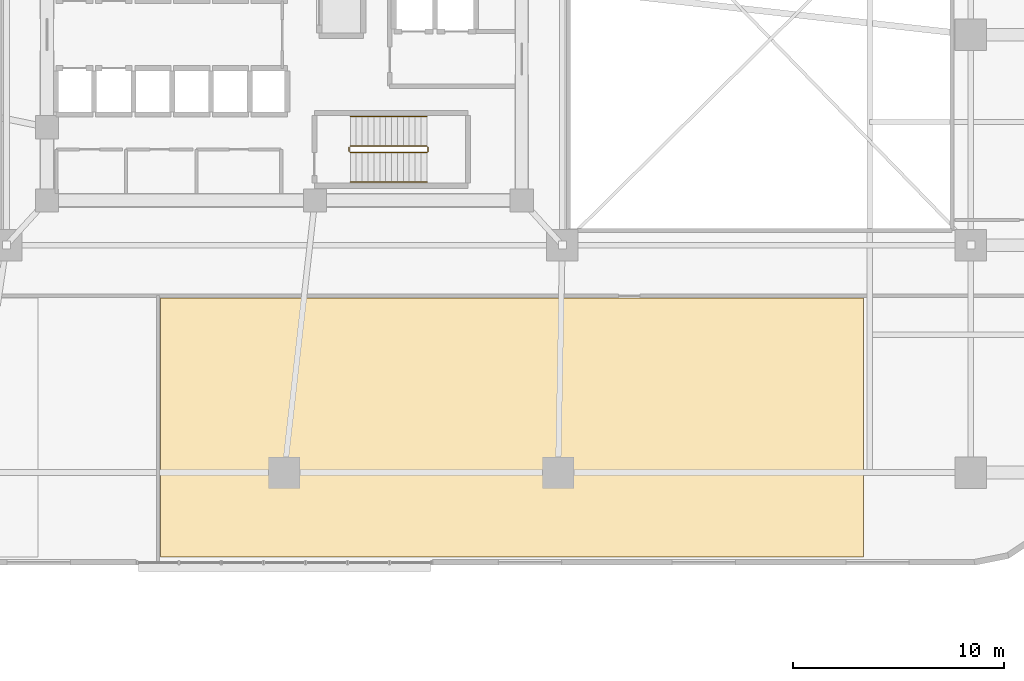
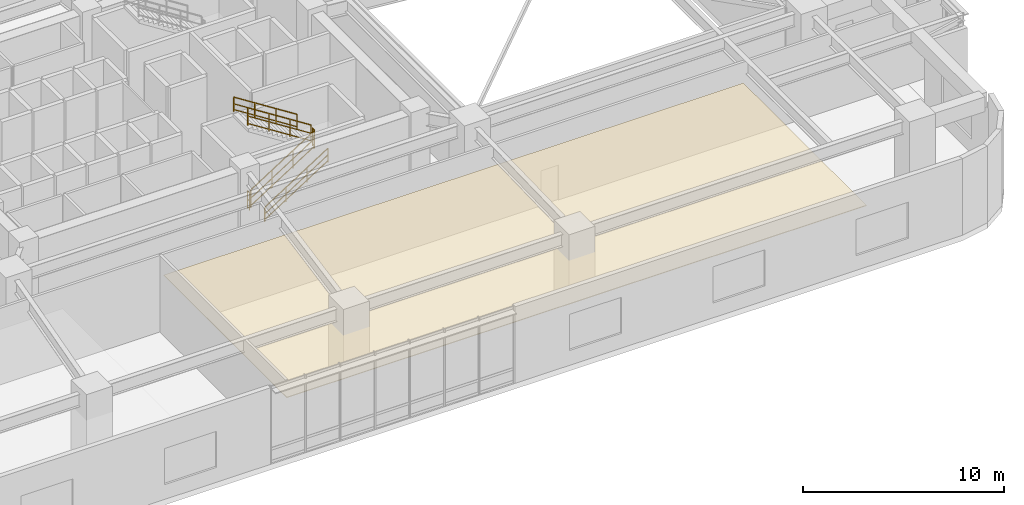
# One storey, part 21 of 24: 6 railings, 1 covering.
"""IFC4 building model written with IfcOpenShell, lengths in metres."""

from ifc_helpers import new_model, si_unit, direction, frame, origin, origin_2d, place, context, subcontext, project, spatial, polyline, rectangle, outline, extrude, material, layer, layer_set, type_object, element, save


model = new_model("IFC4")

# Units and contexts
model_context = context("Model", 3, precision=1e-05, world=origin(), true_north=direction((0.0, 1.0)))
body_context = subcontext(model_context, "Body", "Model", "MODEL_VIEW")
ifc_project = project(units=[si_unit("LENGTHUNIT", "METRE"), si_unit("AREAUNIT", "SQUARE_METRE"), si_unit("VOLUMEUNIT", "CUBIC_METRE"), si_unit("PLANEANGLEUNIT", "RADIAN"), si_unit("MASSUNIT", "GRAM", prefix="KILO")], contexts=[model_context])

# Site, building, storey
site_placement = place(None, origin())
site = spatial("IfcSite", under=ifc_project, at=site_placement, CompositionType="ELEMENT")
building_placement = place(site_placement, origin())
building = spatial("IfcBuilding", under=site, at=building_placement, Name="Zulverin Broadcast Headquarters", CompositionType="ELEMENT")
storey_placement = place(building_placement, frame((0.0, 0.0, 5.0)))
storey = spatial("IfcBuildingStorey", under=building, at=storey_placement, Name="L01", CompositionType="ELEMENT", Elevation=5.0)

# Covering
ifc_material_1 = material(Name="Perforated pale-metal acoustic baffle ceiling", Category="aluminium")
ifc_layer = layer(ifc_material_1, 0.0400390625, Name="Perforated pale-metal acoustic baffle ceiling", Category="aluminium")
ifc_layer_set = layer_set([ifc_layer], Name="Perforated pale-metal acoustic baffle ceiling")
covering_type = type_object("IfcCoveringType", Name="COV-CEIL-ACOU", PredefinedType="CEILING", material=ifc_layer_set)
covering_placement = place(storey_placement, frame((0.0, 0.0, 3.389892578125)))
element("IfcCovering", 1, at=covering_placement, inside=storey, type_object=covering_type, Name="L01 Acoustic Baffle Ceiling 02", PredefinedType="CEILING", context=body_context, shape_type="SweptSolid", body=[
    extrude(outline(polyline([(31.1201171875, 12.679931640625), (31.1201171875, 0.39990234375), (64.5, 0.39990234375), (64.5, 12.679931640625), (31.1201171875, 12.679931640625)])), origin(), (0.0, 0.0, 1.0), 0.0400390625),
])

# Railings
ifc_material_2 = material(Name="Painted galvanized steel tubular guardrail S355JR", Category="steel")
railing_type_1 = type_object("IfcRailingType", Name="RL-ST-GUARD", PredefinedType="GUARDRAIL", material=ifc_material_2)
railing_1_placement = place(storey_placement, frame((40.1298828125, 19.60009765625, 0.178466796875)))
element("IfcRailing", 2, at=railing_1_placement, inside=storey, type_object=railing_type_1, Name="L01 ST-2 stair guard 1", PredefinedType="GUARDRAIL", context=body_context, shape_type="SweptSolid", body=[
    extrude(rectangle(XDim=0.048095703125, YDim=0.048095703125, at=origin_2d()), frame((0.0, 0.0, 1.076171875), z_axis=(0.843127859045, 0.0, 0.537713132908), x_axis=(0.0, 1.0, 0.0)), (0.0, 0.0, 1.0), 4.3173828125),
    extrude(rectangle(XDim=0.0419921875, YDim=0.0419921875, at=origin_2d()), frame((0.0, 0.0, 0.572021484375), z_axis=(0.843127859045, 0.0, 0.537713132908), x_axis=(0.0, 1.0, 0.0)), (0.0, 0.0, 1.0), 4.3173828125),
    extrude(rectangle(XDim=0.0419921875, YDim=0.0419921875, at=origin_2d()), frame((0.0, 0.0, 0.1201171875), z_axis=(0.843127859045, 0.0, 0.537713132908), x_axis=(0.0, 1.0, 0.0)), (0.0, 0.0, 1.0), 4.3173828125),
    extrude(rectangle(XDim=0.0419921875, YDim=0.0419921875, at=origin_2d()), origin(), (0.0, 0.0, 1.0), 1.052001953125),
    extrude(rectangle(XDim=0.0419921875, YDim=0.0419921875, at=origin_2d()), frame((1.21337890625, 0.0, 0.77392578125)), (0.0, 0.0, 1.0), 1.052001953125),
    extrude(rectangle(XDim=0.0419921875, YDim=0.0419921875, at=origin_2d()), frame((2.4267578125, 0.0, 1.547607421875)), (0.0, 0.0, 1.0), 1.052001953125),
    extrude(rectangle(XDim=0.0419921875, YDim=0.0419921875, at=origin_2d()), frame((3.64013671875, 0.0, 2.321533203125)), (0.0, 0.0, 1.0), 1.052001953125),
])
railing_2_placement = place(storey_placement, frame((43.820068359375, 19.64990234375, 2.5)))
element("IfcRailing", 3, at=railing_2_placement, inside=storey, type_object=railing_type_1, Name="L01 ST-2 stair guard 2", PredefinedType="GUARDRAIL", context=body_context, shape_type="SweptSolid", body=[
    extrude(rectangle(XDim=0.048095703125, YDim=0.048095703125, at=origin_2d()), frame((0.0, 0.0, 1.076171875), z_axis=(0.0, 1.0, 0.0), x_axis=(-1.0, 0.0, 0.0)), (0.0, 0.0, 1.0), 0.2001953125),
    extrude(rectangle(XDim=0.0419921875, YDim=0.0419921875, at=origin_2d()), frame((0.0, 0.0, 0.572021484375), z_axis=(0.0, 1.0, 0.0), x_axis=(-1.0, 0.0, 0.0)), (0.0, 0.0, 1.0), 0.2001953125),
    extrude(rectangle(XDim=0.0419921875, YDim=0.0419921875, at=origin_2d()), frame((0.0, 0.0, 0.1201171875), z_axis=(0.0, 1.0, 0.0), x_axis=(-1.0, 0.0, 0.0)), (0.0, 0.0, 1.0), 0.2001953125),
    extrude(rectangle(XDim=0.0419921875, YDim=0.0419921875, at=origin_2d()), origin(), (0.0, 0.0, 1.0), 1.052001953125),
    extrude(rectangle(XDim=0.0419921875, YDim=0.0419921875, at=origin_2d()), frame((0.0, 0.2001953125, 0.0)), (0.0, 0.0, 1.0), 1.052001953125),
])
railing_3_placement = place(storey_placement, frame((43.77001953125, 19.89990234375, 2.678466796875)))
element("IfcRailing", 4, at=railing_3_placement, inside=storey, type_object=railing_type_1, Name="L01 ST-2 stair guard 3", PredefinedType="GUARDRAIL", context=body_context, shape_type="SweptSolid", body=[
    extrude(rectangle(XDim=0.048095703125, YDim=0.048095703125, at=origin_2d()), frame((0.0, 0.0, 1.076171875), z_axis=(-0.843127859045, 0.0, 0.537713132908), x_axis=(0.0, -1.0, 0.0)), (0.0, 0.0, 1.0), 4.3173828125),
    extrude(rectangle(XDim=0.0419921875, YDim=0.0419921875, at=origin_2d()), frame((0.0, 0.0, 0.572021484375), z_axis=(-0.843127859045, 0.0, 0.537713132908), x_axis=(0.0, -1.0, 0.0)), (0.0, 0.0, 1.0), 4.3173828125),
    extrude(rectangle(XDim=0.0419921875, YDim=0.0419921875, at=origin_2d()), frame((0.0, 0.0, 0.1201171875), z_axis=(-0.843127859045, 0.0, 0.537713132908), x_axis=(0.0, -1.0, 0.0)), (0.0, 0.0, 1.0), 4.3173828125),
    extrude(rectangle(XDim=0.0419921875, YDim=0.0419921875, at=origin_2d()), origin(), (0.0, 0.0, 1.0), 1.052001953125),
    extrude(rectangle(XDim=0.0419921875, YDim=0.0419921875, at=origin_2d()), frame((-1.21337890625, 0.0, 0.77392578125)), (0.0, 0.0, 1.0), 1.052001953125),
    extrude(rectangle(XDim=0.0419921875, YDim=0.0419921875, at=origin_2d()), frame((-2.4267578125, 0.0, 1.547607421875)), (0.0, 0.0, 1.0), 1.052001953125),
    extrude(rectangle(XDim=0.0419921875, YDim=0.0419921875, at=origin_2d()), frame((-3.64013671875, 0.0, 2.321533203125)), (0.0, 0.0, 1.0), 1.052001953125),
])
railing_4_placement = place(storey_placement, frame((40.080078125, 19.64990234375, 0.0)))
element("IfcRailing", 5, at=railing_4_placement, inside=storey, type_object=railing_type_1, Name="L01 ST-2 stair guard 4", PredefinedType="GUARDRAIL", context=body_context, shape_type="SweptSolid", body=[
    extrude(rectangle(XDim=0.048095703125, YDim=0.048095703125, at=origin_2d()), frame((0.0, 0.0, 1.076171875), z_axis=(0.0, 1.0, 0.0), x_axis=(-1.0, 0.0, 0.0)), (0.0, 0.0, 1.0), 0.2001953125),
    extrude(rectangle(XDim=0.0419921875, YDim=0.0419921875, at=origin_2d()), frame((0.0, 0.0, 0.572021484375), z_axis=(0.0, 1.0, 0.0), x_axis=(-1.0, 0.0, 0.0)), (0.0, 0.0, 1.0), 0.2001953125),
    extrude(rectangle(XDim=0.0419921875, YDim=0.0419921875, at=origin_2d()), frame((0.0, 0.0, 0.1201171875), z_axis=(0.0, 1.0, 0.0), x_axis=(-1.0, 0.0, 0.0)), (0.0, 0.0, 1.0), 0.2001953125),
    extrude(rectangle(XDim=0.0419921875, YDim=0.0419921875, at=origin_2d()), origin(), (0.0, 0.0, 1.0), 1.052001953125),
    extrude(rectangle(XDim=0.0419921875, YDim=0.0419921875, at=origin_2d()), frame((0.0, 0.2001953125, 0.0)), (0.0, 0.0, 1.0), 1.052001953125),
])
ifc_material_3 = material(Name="Brushed stainless steel 48 mm handrail", Category="steel")
railing_type_2 = type_object("IfcRailingType", Name="RL-ST-HAND", PredefinedType="HANDRAIL", material=ifc_material_3)
railing_5_placement = place(storey_placement, frame((40.1298828125, 18.199951171875, 0.178466796875)))
element("IfcRailing", 6, at=railing_5_placement, inside=storey, type_object=railing_type_2, Name="L01 ST-2 stair handrail 1", PredefinedType="HANDRAIL", context=body_context, shape_type="SweptSolid", body=[
    extrude(rectangle(XDim=0.048095703125, YDim=0.048095703125, at=origin_2d()), frame((0.0, 0.0, 0.8759765625), z_axis=(0.843127859045, 0.0, 0.537713132908), x_axis=(0.0, 1.0, 0.0)), (0.0, 0.0, 1.0), 4.3173828125),
    extrude(rectangle(XDim=0.0419921875, YDim=0.0419921875, at=origin_2d()), frame((0.0, 0.0, 0.468017578125), z_axis=(0.843127859045, 0.0, 0.537713132908), x_axis=(0.0, 1.0, 0.0)), (0.0, 0.0, 1.0), 4.3173828125),
    extrude(rectangle(XDim=0.0419921875, YDim=0.0419921875, at=origin_2d()), frame((0.0, 0.0, 0.1201171875), z_axis=(0.843127859045, 0.0, 0.537713132908), x_axis=(0.0, 1.0, 0.0)), (0.0, 0.0, 1.0), 4.3173828125),
    extrude(rectangle(XDim=0.0419921875, YDim=0.0419921875, at=origin_2d()), origin(), (0.0, 0.0, 1.0), 0.851806640625),
    extrude(rectangle(XDim=0.0419921875, YDim=0.0419921875, at=origin_2d()), frame((1.21337890625, 0.0, 0.77392578125)), (0.0, 0.0, 1.0), 0.851806640625),
    extrude(rectangle(XDim=0.0419921875, YDim=0.0419921875, at=origin_2d()), frame((2.4267578125, 0.0, 1.547607421875)), (0.0, 0.0, 1.0), 0.851806640625),
    extrude(rectangle(XDim=0.0419921875, YDim=0.0419921875, at=origin_2d()), frame((3.64013671875, 0.0, 2.321533203125)), (0.0, 0.0, 1.0), 0.851806640625),
])
railing_6_placement = place(storey_placement, frame((43.77001953125, 21.300048828125, 2.678466796875)))
element("IfcRailing", 7, at=railing_6_placement, inside=storey, type_object=railing_type_2, Name="L01 ST-2 stair handrail 2", PredefinedType="HANDRAIL", context=body_context, shape_type="SweptSolid", body=[
    extrude(rectangle(XDim=0.048095703125, YDim=0.048095703125, at=origin_2d()), frame((0.0, 0.0, 0.8759765625), z_axis=(-0.843127859045, 0.0, 0.537713132908), x_axis=(0.0, -1.0, 0.0)), (0.0, 0.0, 1.0), 4.3173828125),
    extrude(rectangle(XDim=0.0419921875, YDim=0.0419921875, at=origin_2d()), frame((0.0, 0.0, 0.468017578125), z_axis=(-0.843127859045, 0.0, 0.537713132908), x_axis=(0.0, -1.0, 0.0)), (0.0, 0.0, 1.0), 4.3173828125),
    extrude(rectangle(XDim=0.0419921875, YDim=0.0419921875, at=origin_2d()), frame((0.0, 0.0, 0.1201171875), z_axis=(-0.843127859045, 0.0, 0.537713132908), x_axis=(0.0, -1.0, 0.0)), (0.0, 0.0, 1.0), 4.3173828125),
    extrude(rectangle(XDim=0.0419921875, YDim=0.0419921875, at=origin_2d()), origin(), (0.0, 0.0, 1.0), 0.851806640625),
    extrude(rectangle(XDim=0.0419921875, YDim=0.0419921875, at=origin_2d()), frame((-1.21337890625, 0.0, 0.77392578125)), (0.0, 0.0, 1.0), 0.851806640625),
    extrude(rectangle(XDim=0.0419921875, YDim=0.0419921875, at=origin_2d()), frame((-2.4267578125, 0.0, 1.547607421875)), (0.0, 0.0, 1.0), 0.851806640625),
    extrude(rectangle(XDim=0.0419921875, YDim=0.0419921875, at=origin_2d()), frame((-3.64013671875, 0.0, 2.321533203125)), (0.0, 0.0, 1.0), 0.851806640625),
])

save(model, "model.ifc")
